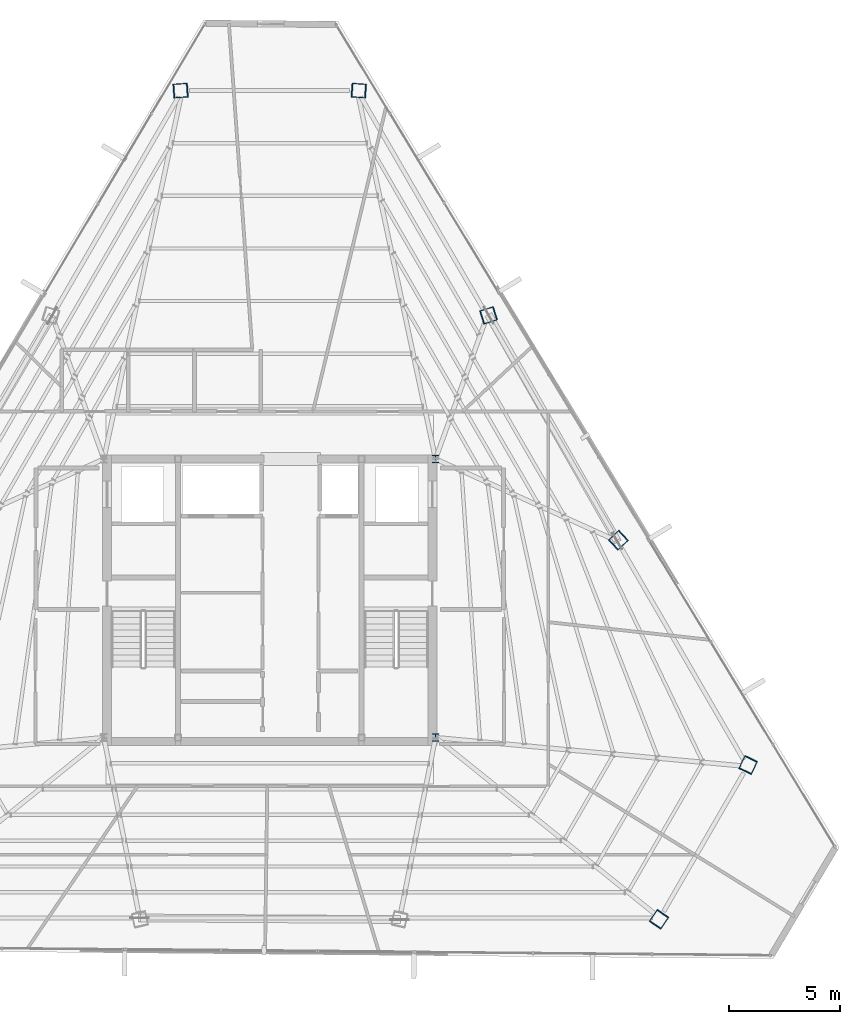
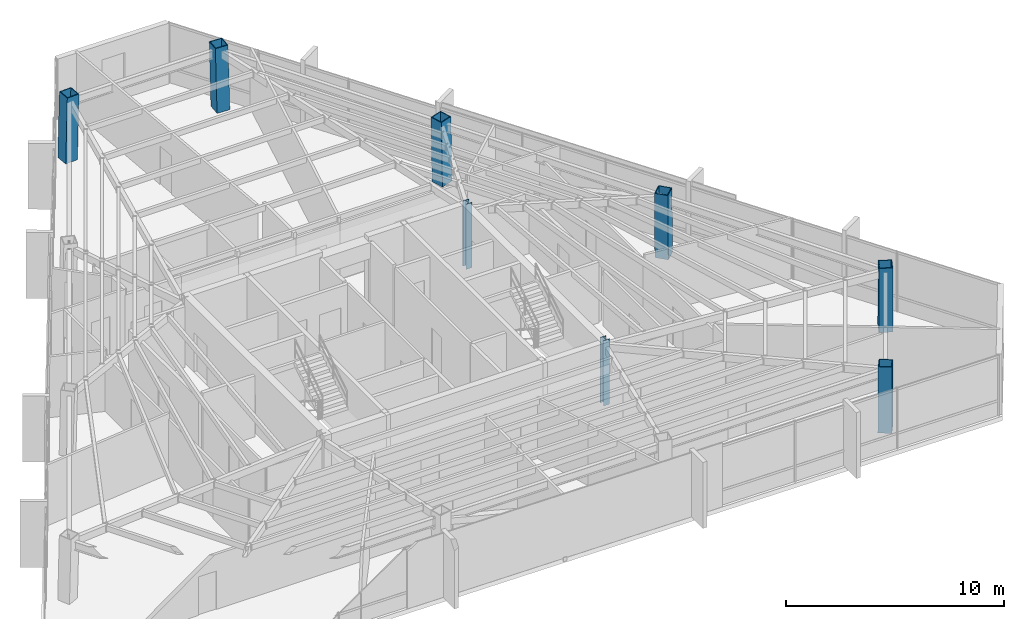
# One storey, part 2 of 47: 8 columns.
"""IFC4 building model written with IfcOpenShell, lengths in metres."""

from ifc_helpers import new_model, si_unit, direction, frame, origin, origin_2d, place, context, subcontext, project, spatial, hollow_rectangle, i_section, extrude, source, transform, mapped, material, material_profile, profile_set, type_object, type_shapes, element, save


model = new_model("IFC4")

# Units and contexts
model_context = context("Model", 3, precision=1e-05, world=origin(), true_north=direction((0.0, 1.0)))
body_context = subcontext(model_context, "Body", "Model", "MODEL_VIEW")
ifc_project = project(units=[si_unit("LENGTHUNIT", "METRE"), si_unit("AREAUNIT", "SQUARE_METRE"), si_unit("VOLUMEUNIT", "CUBIC_METRE"), si_unit("PLANEANGLEUNIT", "RADIAN"), si_unit("MASSUNIT", "GRAM", prefix="KILO")], contexts=[model_context])

# Site, building, storey
site_placement = place(None, origin())
site = spatial("IfcSite", under=ifc_project, at=site_placement, CompositionType="ELEMENT")
building_placement = place(site_placement, origin())
building = spatial("IfcBuilding", under=site, at=building_placement, Name="Caelisora Broadcast Tower", CompositionType="ELEMENT")
storey_placement = place(building_placement, frame((0.0, 0.0, 248.10009765625)))
storey = spatial("IfcBuildingStorey", under=building, at=storey_placement, Name="L65", CompositionType="ELEMENT", Elevation=248.10009765625)

# Columns
ifc_material_1 = material(Name="Steel Grade 350 (AS/NZS 3679.1)", Category="steel")
ifc_material_profile_1 = material_profile(ifc_material_1, i_section(OverallWidth=0.31103515625, OverallDepth=0.3271484375, WebThickness=0.015625, FlangeThickness=0.02490234375, at=origin_2d()), Name="Steel Grade 350 (AS/NZS 3679.1)")
ifc_profile_set_1 = profile_set([ifc_material_profile_1], Name="Steel Grade 350 (AS/NZS 3679.1)")
column_type_1 = type_object("IfcColumnType", Name="CC03", PredefinedType="COLUMN", material=ifc_profile_set_1)
shared_shape_1 = source(origin(), body_context, "Body", "SweptSolid", [
    extrude(i_section(OverallWidth=0.31103515625, OverallDepth=0.3271484375, WebThickness=0.015625, FlangeThickness=0.02490234375, at=origin_2d()), origin(), (0.0, 0.0, 1.0), 3.64990234375),
])
type_shapes(column_type_1, [shared_shape_1])
for number, where, z_axis, x_axis, name in (
    (1, (45.5, 17.39990234375, 0.0), (0.0, 0.0, 1.0), (1.0, 0.0, 0.0), "L65 column CC03"),
    (2, (45.5, 30.0, 0.0), (0.0, 0.0, 1.0), (1.0, 0.0, 0.0), "L65 column CC03"),
):
    element("IfcColumn", number, at=place(storey_placement, frame(where, z_axis=z_axis, x_axis=x_axis)), inside=storey, type_object=column_type_1, Name=name, PredefinedType="COLUMN", context=body_context, shape_type="MappedRepresentation", body=[
        mapped(shared_shape_1, transform((0.0, 0.0, 0.0), scale=1.0)),
    ])
ifc_material_2 = material(Name="Steel Grade 350 L15 (AS/NZS 3678)", Category="steel")
ifc_material_profile_2 = material_profile(ifc_material_2, hollow_rectangle(XDim=0.64990234375, YDim=0.64990234375, WallThickness=0.0400390625, at=origin_2d()), Name="Steel Grade 350 L15 (AS/NZS 3678)")
ifc_profile_set_2 = profile_set([ifc_material_profile_2], Name="Steel Grade 350 L15 (AS/NZS 3678)")
column_type_2 = type_object("IfcColumnType", Name="MC06", PredefinedType="COLUMN", material=ifc_profile_set_2)
shared_shape_2 = source(origin(), body_context, "Body", "SweptSolid", [
    extrude(hollow_rectangle(XDim=0.64990234375, YDim=0.64990234375, WallThickness=0.0400390625, at=origin_2d()), origin(), (0.0, 0.0, 1.0), 3.65087890625),
])
for number, where, z_axis, x_axis, name in (
    (3, (42.044189453125, 46.66015625, 0.0), (-0.023872756997, 0.001738632162, 0.999713493273), (-0.07263675076, -0.997358462359, 0.0), "L65 column MC06"),
    (4, (33.955810546875, 46.66015625, 0.0), (0.023872756997, 0.001738632162, 0.999713493273), (-0.07263675076, 0.997358462359, 0.0), "L65 column MC06"),
    (5, (55.60205078125, 9.16748046875, 0.0), (0.013440967269, 0.019793663242, 0.999713734673), (-0.827290216258, 0.561774775229, 0.0), "L65 column MC06"),
    (6, (59.646240234375, 16.17236328125, 0.0), (-0.010364932146, -0.021532310652, 0.999714423113), (0.901042175273, -0.433731481886, 0.0), "L65 column MC06"),
):
    element("IfcColumn", number, at=place(storey_placement, frame(where, z_axis=z_axis, x_axis=x_axis)), inside=storey, type_object=column_type_2, Name=name, PredefinedType="COLUMN", context=body_context, shape_type="MappedRepresentation", body=[
        mapped(shared_shape_2, transform((0.0, 0.0, 0.0), scale=1.0)),
    ])
shared_shape_3 = source(origin(), body_context, "Body", "SweptSolid", [
    extrude(hollow_rectangle(XDim=0.64990234375, YDim=0.64990234375, WallThickness=0.0400390625, at=origin_2d()), origin(), (0.0, 0.0, 1.0), 3.650634765625),
])
type_shapes(column_type_2, [shared_shape_2, shared_shape_3])
for number, where, z_axis, x_axis, name in (
    (7, (53.779052734375, 26.3349609375, 0.0), (-0.014913313399, -0.013776424037, 0.999793880369), (0.678553674548, -0.734550822447, 0.0), "L65 column MC06"),
    (8, (47.91162109375, 36.49755859375, 0.0), (-0.019393993486, -0.006018825565, 0.999793802119), (0.296399214872, -0.955064136811, 0.0), "L65 column MC06"),
):
    element("IfcColumn", number, at=place(storey_placement, frame(where, z_axis=z_axis, x_axis=x_axis)), inside=storey, type_object=column_type_2, Name=name, PredefinedType="COLUMN", context=body_context, shape_type="MappedRepresentation", body=[
        mapped(shared_shape_3, transform((0.0, 0.0, 0.0), scale=1.0)),
    ])

save(model, "model.ifc")
